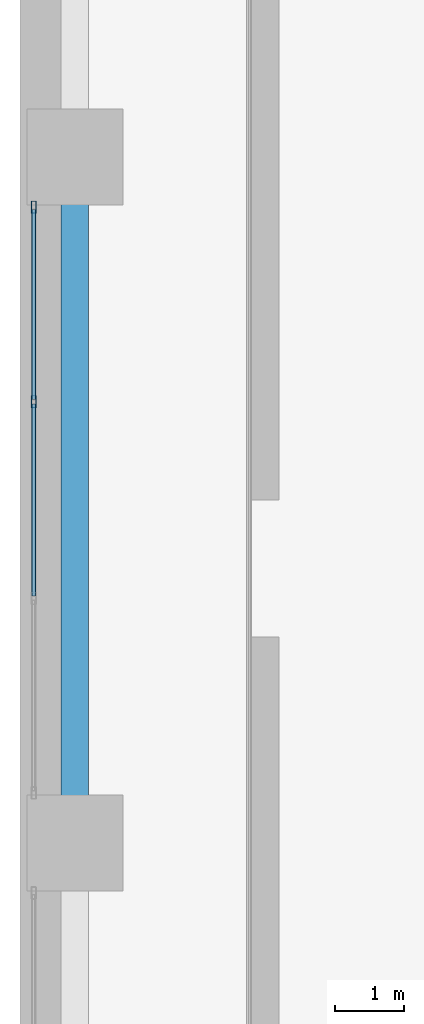
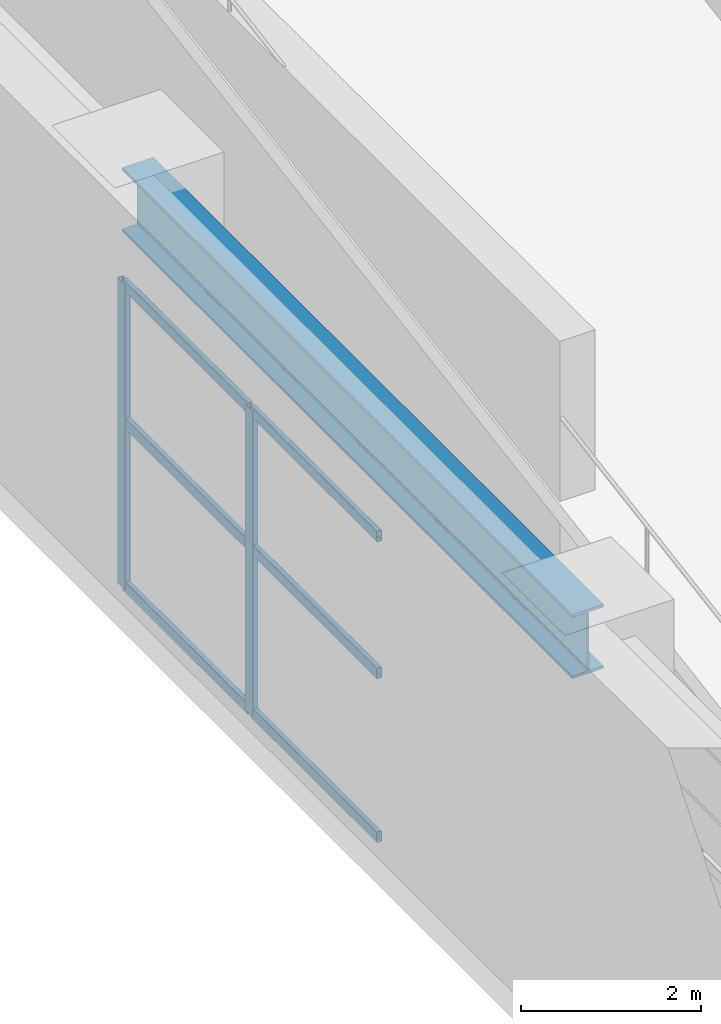
# One storey, part 8 of 25: 8 members, 1 beam, 1 element without a shape of its own.
"""IFC4 building model written with IfcOpenShell, lengths in metres."""

from ifc_helpers import new_model, si_unit, direction, frame, origin, origin_2d, place, context, subcontext, project, spatial, hollow_rectangle, i_section, extrude, material, layer, layer_set, material_profile, profile_set, type_object, element, aggregate, save


model = new_model("IFC4")

# Units and contexts
model_context = context("Model", 3, precision=1e-05, world=origin(), true_north=direction((0.0, 1.0)))
body_context = subcontext(model_context, "Body", "Model", "MODEL_VIEW")
ifc_project = project(units=[si_unit("LENGTHUNIT", "METRE"), si_unit("AREAUNIT", "SQUARE_METRE"), si_unit("VOLUMEUNIT", "CUBIC_METRE"), si_unit("PLANEANGLEUNIT", "RADIAN"), si_unit("MASSUNIT", "GRAM", prefix="KILO")], contexts=[model_context])

# Site, building, storey
site_placement = place(None, origin())
site = spatial("IfcSite", under=ifc_project, at=site_placement, CompositionType="ELEMENT")
building_placement = place(site_placement, origin())
building = spatial("IfcBuilding", under=site, at=building_placement, Name="Soratama Intermodal Tower", CompositionType="ELEMENT")
storey_placement = place(building_placement, frame((0.0, 0.0, -5.39990234375)))
storey = spatial("IfcBuildingStorey", under=building, at=storey_placement, Name="B1", CompositionType="ELEMENT", Elevation=-5.39990234375)

# Beam
ifc_material_1 = material(Name="Structural steel ASTM A992 Grade 50", Category="steel")
ifc_material_profile_1 = material_profile(ifc_material_1, i_section(OverallWidth=0.403076171875, OverallDepth=0.867919921875, WebThickness=0.02099609375, FlangeThickness=0.03564453125, FilletRadius=0.01806640625, at=origin_2d()), Name="W33X241")
ifc_profile_set_1 = profile_set([ifc_material_profile_1], Name="Structural steel ASTM A992 Grade 50")
beam_type = type_object("IfcBeamType", Name="BM-POD-EXT-W33", PredefinedType="BEAM", material=ifc_profile_set_1)
beam_placement = place(storey_placement, frame((0.800048828125, 25.0, 4.64599609375), z_axis=(0.0, 1.0, 0.0), x_axis=(-1.0, 0.0, 0.0)))
element("IfcBeam", 1, at=beam_placement, inside=storey, type_object=beam_type, Name="B1 Station Girder Y1-3", PredefinedType="BEAM", context=body_context, shape_type="SweptSolid", body=[
    extrude(i_section(OverallWidth=0.403076171875, OverallDepth=0.867919921875, WebThickness=0.02099609375, FlangeThickness=0.03564453125, FilletRadius=0.01806640625, at=origin_2d()), origin(), (0.0, 0.0, 1.0), 10.0),
])

# Curtain wall, members
ifc_material_2 = material(Name="Double-glazed aluminium curtain wall", Category="aluminium")
ifc_layer = layer(ifc_material_2, 0.159912109375)
ifc_layer_set = layer_set([ifc_layer], Name="Double-glazed aluminium curtain wall")
curtain_wall_type = type_object("IfcCurtainWallType", Name="CW-SYS-1", PredefinedType="NOTDEFINED", material=ifc_layer_set)
curtain_wall_placement = place(storey_placement, origin())
curtain_wall = element("IfcCurtainWall", 2, at=curtain_wall_placement, inside=storey, type_object=curtain_wall_type, Name="B1 Station Curtain Wall W2", PredefinedType="NOTDEFINED")
ifc_material_3 = material(Name="Anodised aluminium AA 6063-T6", Category="aluminium")
ifc_material_profile_2 = material_profile(ifc_material_3, hollow_rectangle(XDim=0.074951171875, YDim=0.179931640625, WallThickness=0.006103515625, InnerFilletRadius=0.006103515625, OuterFilletRadius=0.011962890625, at=origin_2d()), Name="CWM180X75X6")
ifc_profile_set_2 = profile_set([ifc_material_profile_2], Name="Anodised aluminium AA 6063-T6")
member_type_1 = type_object("IfcMemberType", Name="MT-CWM-1", PredefinedType="MULLION", material=ifc_profile_set_2)
member_1_placement = place(storey_placement, frame((0.199951171875, 31.433349609375, 0.0), z_axis=(0.0, 0.0, 1.0), x_axis=(-1.0, 0.0, 0.0)))
member_1 = element("IfcMember", 3, at=member_1_placement, type_object=member_type_1, Name="CW-1 mullion 3", PredefinedType="MULLION", context=body_context, shape_type="SweptSolid", body=[
    extrude(hollow_rectangle(XDim=0.074951171875, YDim=0.179931640625, WallThickness=0.006103515625, InnerFilletRadius=0.006103515625, OuterFilletRadius=0.011962890625, at=origin_2d()), origin(), (0.0, 0.0, 1.0), 4.135986328125),
])
member_2_placement = place(storey_placement, frame((0.199951171875, 34.27001953125, 0.0), z_axis=(0.0, 0.0, 1.0), x_axis=(-1.0, 0.0, 0.0)))
member_2 = element("IfcMember", 4, at=member_2_placement, type_object=member_type_1, Name="CW-1 mullion 4", PredefinedType="MULLION", context=body_context, shape_type="SweptSolid", body=[
    extrude(hollow_rectangle(XDim=0.074951171875, YDim=0.179931640625, WallThickness=0.006103515625, InnerFilletRadius=0.006103515625, OuterFilletRadius=0.011962890625, at=origin_2d()), origin(), (0.0, 0.0, 1.0), 4.135986328125),
])
ifc_material_4 = material(Name="Anodised aluminium AA 6063-T6", Category="aluminium")
ifc_material_profile_3 = material_profile(ifc_material_4, hollow_rectangle(XDim=0.06494140625, YDim=0.14990234375, WallThickness=0.0048828125, InnerFilletRadius=0.0048828125, OuterFilletRadius=0.010009765625, at=origin_2d()), Name="CWT150X65X5")
ifc_profile_set_3 = profile_set([ifc_material_profile_3], Name="Anodised aluminium AA 6063-T6")
member_type_2 = type_object("IfcMemberType", Name="TT-CWT-1", PredefinedType="USERDEFINED", material=ifc_profile_set_3)
member_3_placement = place(storey_placement, frame((0.199951171875, 28.5966796875, 0.02978515625), z_axis=(0.0, 1.0, 0.0), x_axis=(-1.0, 0.0, 0.0)))
member_3 = element("IfcMember", 5, at=member_3_placement, type_object=member_type_2, Name="CW-1 transom 2.1", ObjectType="TRANSOM", PredefinedType="USERDEFINED", context=body_context, shape_type="SweptSolid", body=[
    extrude(hollow_rectangle(XDim=0.06494140625, YDim=0.14990234375, WallThickness=0.0048828125, InnerFilletRadius=0.0048828125, OuterFilletRadius=0.010009765625, at=origin_2d()), origin(), (0.0, 0.0, 1.0), 2.806640625),
])
member_4_placement = place(storey_placement, frame((0.199951171875, 28.5966796875, 2.25), z_axis=(0.0, 1.0, 0.0), x_axis=(-1.0, 0.0, 0.0)))
member_4 = element("IfcMember", 6, at=member_4_placement, type_object=member_type_2, Name="CW-1 transom 2.2", ObjectType="TRANSOM", PredefinedType="USERDEFINED", context=body_context, shape_type="SweptSolid", body=[
    extrude(hollow_rectangle(XDim=0.06494140625, YDim=0.14990234375, WallThickness=0.0048828125, InnerFilletRadius=0.0048828125, OuterFilletRadius=0.010009765625, at=origin_2d()), origin(), (0.0, 0.0, 1.0), 2.806640625),
])
member_5_placement = place(storey_placement, frame((0.199951171875, 28.5966796875, 4.10595703125), z_axis=(0.0, 1.0, 0.0), x_axis=(-1.0, 0.0, 0.0)))
member_5 = element("IfcMember", 7, at=member_5_placement, type_object=member_type_2, Name="CW-1 transom 2.3", ObjectType="TRANSOM", PredefinedType="USERDEFINED", context=body_context, shape_type="SweptSolid", body=[
    extrude(hollow_rectangle(XDim=0.06494140625, YDim=0.14990234375, WallThickness=0.0048828125, InnerFilletRadius=0.0048828125, OuterFilletRadius=0.010009765625, at=origin_2d()), origin(), (0.0, 0.0, 1.0), 2.806640625),
])
member_6_placement = place(storey_placement, frame((0.199951171875, 31.46337890625, 0.02978515625), z_axis=(0.0, 1.0, 0.0), x_axis=(-1.0, 0.0, 0.0)))
member_6 = element("IfcMember", 8, at=member_6_placement, type_object=member_type_2, Name="CW-1 transom 3.1", ObjectType="TRANSOM", PredefinedType="USERDEFINED", context=body_context, shape_type="SweptSolid", body=[
    extrude(hollow_rectangle(XDim=0.06494140625, YDim=0.14990234375, WallThickness=0.0048828125, InnerFilletRadius=0.0048828125, OuterFilletRadius=0.010009765625, at=origin_2d()), origin(), (0.0, 0.0, 1.0), 2.776611328125),
])
member_7_placement = place(storey_placement, frame((0.199951171875, 31.46337890625, 2.25), z_axis=(0.0, 1.0, 0.0), x_axis=(-1.0, 0.0, 0.0)))
member_7 = element("IfcMember", 9, at=member_7_placement, type_object=member_type_2, Name="CW-1 transom 3.2", ObjectType="TRANSOM", PredefinedType="USERDEFINED", context=body_context, shape_type="SweptSolid", body=[
    extrude(hollow_rectangle(XDim=0.06494140625, YDim=0.14990234375, WallThickness=0.0048828125, InnerFilletRadius=0.0048828125, OuterFilletRadius=0.010009765625, at=origin_2d()), origin(), (0.0, 0.0, 1.0), 2.776611328125),
])
member_8_placement = place(storey_placement, frame((0.199951171875, 31.46337890625, 4.10595703125), z_axis=(0.0, 1.0, 0.0), x_axis=(-1.0, 0.0, 0.0)))
member_8 = element("IfcMember", 10, at=member_8_placement, type_object=member_type_2, Name="CW-1 transom 3.3", ObjectType="TRANSOM", PredefinedType="USERDEFINED", context=body_context, shape_type="SweptSolid", body=[
    extrude(hollow_rectangle(XDim=0.06494140625, YDim=0.14990234375, WallThickness=0.0048828125, InnerFilletRadius=0.0048828125, OuterFilletRadius=0.010009765625, at=origin_2d()), origin(), (0.0, 0.0, 1.0), 2.776611328125),
])
aggregate(curtain_wall, [member_1, member_2, member_3, member_4, member_5, member_6, member_7, member_8])

save(model, "model.ifc")
